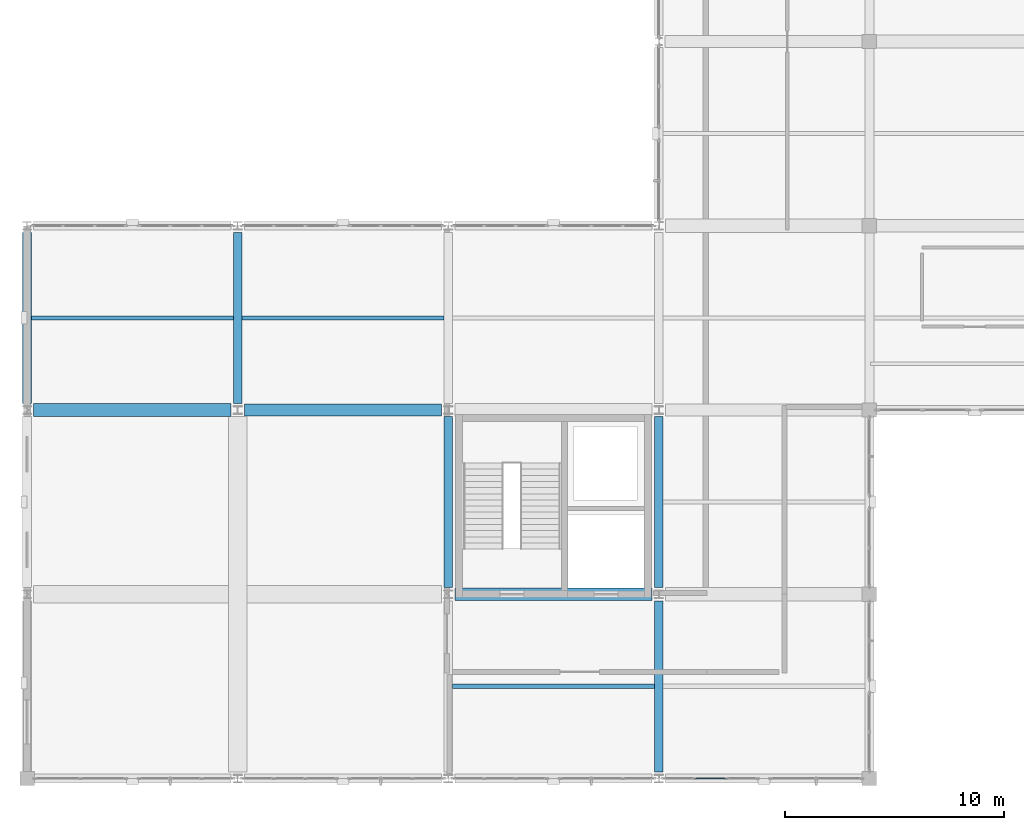
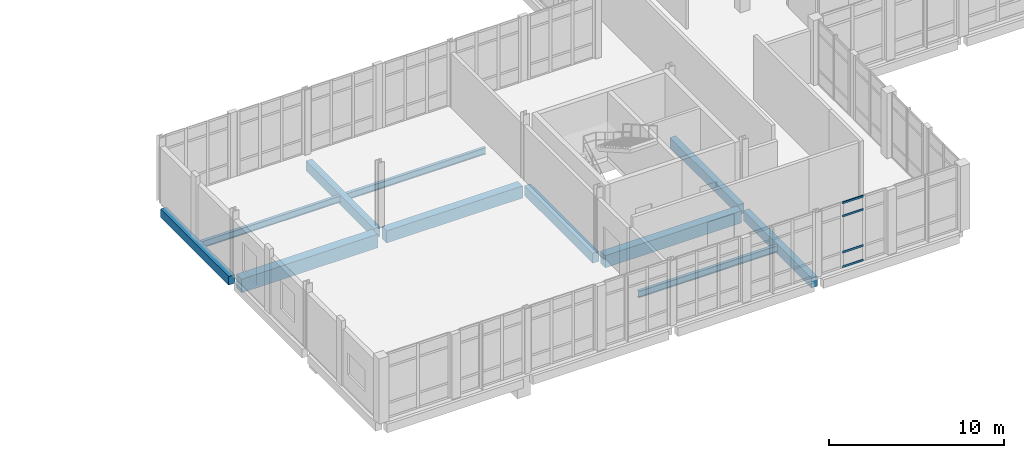
# One storey, part 17 of 102: 11 beams, 4 members, 1 element without a shape of its own.
"""IFC4 building model written with IfcOpenShell, lengths in metres."""

from ifc_helpers import new_model, si_unit, direction, frame, origin, origin_2d, place, context, subcontext, project, spatial, rectangle, hollow_rectangle, i_section, extrude, material, layer, layer_set, material_profile, profile_set, type_object, element, aggregate, save


model = new_model("IFC4")

# Units and contexts
model_context = context("Model", 3, precision=1e-05, world=origin(), true_north=direction((0.0, 1.0)))
body_context = subcontext(model_context, "Body", "Model", "MODEL_VIEW")
ifc_project = project(units=[si_unit("LENGTHUNIT", "METRE"), si_unit("AREAUNIT", "SQUARE_METRE"), si_unit("VOLUMEUNIT", "CUBIC_METRE"), si_unit("PLANEANGLEUNIT", "RADIAN"), si_unit("MASSUNIT", "GRAM", prefix="KILO")], contexts=[model_context])

# Site, building, storey
site_placement = place(None, origin())
site = spatial("IfcSite", under=ifc_project, at=site_placement, CompositionType="ELEMENT")
building_placement = place(site_placement, origin())
building = spatial("IfcBuilding", under=site, at=building_placement, Name="Lornevale Opera House", CompositionType="ELEMENT")
storey_placement = place(building_placement, frame((0.0, 0.0, 5.39990234375)))
storey = spatial("IfcBuildingStorey", under=building, at=storey_placement, Name="L02", CompositionType="ELEMENT", Elevation=5.39990234375)

# Beams
ifc_material_1 = material(Name="Concrete 35 MPa (CSA A23.1 N)", Category="concrete")
ifc_material_profile_1 = material_profile(ifc_material_1, rectangle(XDim=0.39990234375, YDim=0.699951171875, at=origin_2d()), Name="RC400x700")
ifc_profile_set_1 = profile_set([ifc_material_profile_1], Name="Concrete 35 MPa (CSA A23.1 N)")
beam_type_1 = type_object("IfcBeamType", Name="Concrete Floor Beam 400x700", PredefinedType="USERDEFINED", material=ifc_profile_set_1)
beam_1_placement = place(storey_placement, frame((9.60009765625, 17.10009765625, -0.64990234375), z_axis=(0.0, 1.0, 0.0), x_axis=(-1.0, 0.0, 0.0)))
element("IfcBeam", 1, at=beam_1_placement, inside=storey, type_object=beam_type_1, Name="Concrete Floor Beam 400x700 1834", ObjectType="GIRDER", PredefinedType="USERDEFINED", context=body_context, shape_type="SweptSolid", body=[
    extrude(rectangle(XDim=0.39990234375, YDim=0.699951171875, at=origin_2d()), origin(), (0.0, 0.0, 1.0), 7.7998046875),
])
for number, where, z_axis, x_axis, name in (
    (2, (19.199951171875, 8.699951171875, -0.64990234375), (0.0, 1.0, 0.0), (-1.0, 0.0, 0.0), "Concrete Floor Beam 400x700 1839"),
    (3, (28.800048828125, 0.300048828125, -0.64990234375), (0.0, 1.0, 0.0), (-1.0, 0.0, 0.0), "Concrete Floor Beam 400x700 1845"),
    (4, (28.800048828125, 8.699951171875, -0.64990234375), (0.0, 1.0, 0.0), (-1.0, 0.0, 0.0), "Concrete Floor Beam 400x700 1846"),
):
    element("IfcBeam", number, at=place(storey_placement, frame(where, z_axis=z_axis, x_axis=x_axis)), inside=storey, type_object=beam_type_1, Name=name, ObjectType="GIRDER", PredefinedType="USERDEFINED", context=body_context, shape_type="SweptSolid", body=[
        extrude(rectangle(XDim=0.39990234375, YDim=0.699951171875, at=origin_2d()), origin(), (0.0, 0.0, 1.0), 7.800048828125),
    ])
ifc_material_profile_2 = material_profile(ifc_material_1, rectangle(XDim=0.550048828125, YDim=0.85009765625, at=origin_2d()), Name="RC550x850")
ifc_profile_set_2 = profile_set([ifc_material_profile_2], Name="Concrete 35 MPa (CSA A23.1 N)")
beam_type_2 = type_object("IfcBeamType", Name="Concrete Primary Girder 550x850", PredefinedType="USERDEFINED", material=ifc_profile_set_2)
for number, where, z_axis, x_axis, name in (
    (5, (19.5, 8.39990234375, -0.724853515625), (1.0, 0.0, 0.0), (0.0, 1.0, 0.0), "Concrete Primary Girder 550x850 1676"),
    (6, (9.89990234375, 16.800048828125, -0.724853515625), (1.0, 0.0, 0.0), (0.0, 1.0, 0.0), "Concrete Primary Girder 550x850 1682"),
):
    element("IfcBeam", number, at=place(storey_placement, frame(where, z_axis=z_axis, x_axis=x_axis)), inside=storey, type_object=beam_type_2, Name=name, ObjectType="GIRDER", PredefinedType="USERDEFINED", context=body_context, shape_type="SweptSolid", body=[
        extrude(rectangle(XDim=0.550048828125, YDim=0.85009765625, at=origin_2d()), origin(), (0.0, 0.0, 1.0), 9.0),
    ])
ifc_material_profile_3 = material_profile(ifc_material_1, rectangle(XDim=0.60009765625, YDim=0.949951171875, at=origin_2d()), Name="RC600x950")
ifc_profile_set_3 = profile_set([ifc_material_profile_3], Name="Concrete 35 MPa (CSA A23.1 N)")
beam_type_3 = type_object("IfcBeamType", Name="Concrete Primary Girder 600x950", PredefinedType="USERDEFINED", material=ifc_profile_set_3)
beam_2_placement = place(storey_placement, frame((0.300048828125, 16.800048828125, -0.77490234375), z_axis=(1.0, 0.0, 0.0), x_axis=(0.0, 1.0, 0.0)))
element("IfcBeam", 7, at=beam_2_placement, inside=storey, type_object=beam_type_3, Name="Concrete Primary Girder 600x950 1681", ObjectType="GIRDER", PredefinedType="USERDEFINED", context=body_context, shape_type="SweptSolid", body=[
    extrude(rectangle(XDim=0.60009765625, YDim=0.949951171875, at=origin_2d()), origin(), (0.0, 0.0, 1.0), 9.0),
])
ifc_material_profile_4 = material_profile(ifc_material_1, rectangle(XDim=0.39990234375, YDim=0.60009765625, at=origin_2d()), Name="RC400x600")
ifc_profile_set_4 = profile_set([ifc_material_profile_4], Name="Concrete 35 MPa (CSA A23.1 N)")
beam_type_4 = type_object("IfcBeamType", Name="Concrete Spandrel Beam 400x600", PredefinedType="SPANDREL", material=ifc_profile_set_4)
beam_3_placement = place(storey_placement, frame((0.0, 17.10009765625, -0.599853515625), z_axis=(0.0, 1.0, 0.0), x_axis=(-1.0, 0.0, 0.0)))
element("IfcBeam", 8, at=beam_3_placement, inside=storey, type_object=beam_type_4, Name="Concrete Spandrel Beam 400x600 1828", PredefinedType="SPANDREL", context=body_context, shape_type="SweptSolid", body=[
    extrude(rectangle(XDim=0.39990234375, YDim=0.60009765625, at=origin_2d()), origin(), (0.0, 0.0, 1.0), 7.7998046875),
])

# Curtain wall, members
ifc_material_2 = material(Name="Anodized Oxide-Green Aluminium Framing", Category="aluminium")
ifc_layer = layer(ifc_material_2, 0.175048828125)
ifc_layer_set = layer_set([ifc_layer], Name="Anodized Oxide-Green Aluminium Framing")
curtain_wall_type = type_object("IfcCurtainWallType", Name="Chamber Cloister Curtain Wall M1700", PredefinedType="NOTDEFINED", material=ifc_layer_set)
curtain_wall_placement = place(storey_placement, origin())
curtain_wall = element("IfcCurtainWall", 9, at=curtain_wall_placement, inside=storey, type_object=curtain_wall_type, Name="Chamber Cloister Curtain Wall M1700 CW-046", PredefinedType="NOTDEFINED")
ifc_material_profile_5 = material_profile(ifc_material_2, hollow_rectangle(XDim=0.06494140625, YDim=0.135009765625, WallThickness=0.00390625, at=origin_2d()), Name="ALU65x135x4")
ifc_profile_set_5 = profile_set([ifc_material_profile_5], Name="Anodized Oxide-Green Aluminium Framing")
member_type = type_object("IfcMemberType", Name="Curtain Wall Transom 65x135", PredefinedType="USERDEFINED", material=ifc_profile_set_5)
member_1_placement = place(storey_placement, frame((31.84521484375, 0.0, 0.03271484375), z_axis=(-1.0, 0.0, 0.0), x_axis=(0.0, -1.0, 0.0)))
member_1 = element("IfcMember", 10, at=member_1_placement, type_object=member_type, Name="Curtain Wall Transom 65x135 CW0961", ObjectType="TRANSOM", PredefinedType="USERDEFINED", context=body_context, shape_type="SweptSolid", body=[
    extrude(hollow_rectangle(XDim=0.06494140625, YDim=0.135009765625, WallThickness=0.00390625, at=origin_2d()), origin(), (0.0, 0.0, 1.0), 1.37744140625),
])
member_2_placement = place(storey_placement, frame((31.84521484375, 0.0, 1.050048828125), z_axis=(-1.0, 0.0, 0.0), x_axis=(0.0, -1.0, 0.0)))
member_2 = element("IfcMember", 11, at=member_2_placement, type_object=member_type, Name="Curtain Wall Transom 65x135 CW0962", ObjectType="TRANSOM", PredefinedType="USERDEFINED", context=body_context, shape_type="SweptSolid", body=[
    extrude(hollow_rectangle(XDim=0.06494140625, YDim=0.135009765625, WallThickness=0.00390625, at=origin_2d()), origin(), (0.0, 0.0, 1.0), 1.37744140625),
])
member_3_placement = place(storey_placement, frame((31.84521484375, 0.0, 3.570068359375), z_axis=(-1.0, 0.0, 0.0), x_axis=(0.0, -1.0, 0.0)))
member_3 = element("IfcMember", 12, at=member_3_placement, type_object=member_type, Name="Curtain Wall Transom 65x135 CW0963", ObjectType="TRANSOM", PredefinedType="USERDEFINED", context=body_context, shape_type="SweptSolid", body=[
    extrude(hollow_rectangle(XDim=0.06494140625, YDim=0.135009765625, WallThickness=0.00390625, at=origin_2d()), origin(), (0.0, 0.0, 1.0), 1.37744140625),
])
member_4_placement = place(storey_placement, frame((31.84521484375, 0.0, 4.487548828125), z_axis=(-1.0, 0.0, 0.0), x_axis=(0.0, -1.0, 0.0)))
member_4 = element("IfcMember", 13, at=member_4_placement, type_object=member_type, Name="Curtain Wall Transom 65x135 CW0964", ObjectType="TRANSOM", PredefinedType="USERDEFINED", context=body_context, shape_type="SweptSolid", body=[
    extrude(hollow_rectangle(XDim=0.06494140625, YDim=0.135009765625, WallThickness=0.00390625, at=origin_2d()), origin(), (0.0, 0.0, 1.0), 1.37744140625),
])
aggregate(curtain_wall, [member_1, member_2, member_3, member_4])

# Beams
ifc_material_3 = material(Name="Structural Steel CSA G40.21 Grade 350W (350 MPa)", Category="steel")
ifc_material_profile_6 = material_profile(ifc_material_3, i_section(OverallWidth=0.19189453125, OverallDepth=0.462890625, WebThickness=0.010498046875, FlangeThickness=0.017578125, at=origin_2d()), Name="W460x89")
ifc_profile_set_6 = profile_set([ifc_material_profile_6], Name="Structural Steel CSA G40.21 Grade 350W (350 MPa)")
beam_type_5 = type_object("IfcBeamType", Name="Steel Floor Joist W460x89", PredefinedType="JOIST", material=ifc_profile_set_6)
for number, where, z_axis, x_axis, name in (
    (14, (0.199951171875, 21.0, -0.54638671875), (1.0, 0.0, 0.0), (0.0, 1.0, 0.0), "Steel Floor Joist W460x89 1979"),
    (15, (9.800048828125, 21.0, -0.54638671875), (1.0, 0.0, 0.0), (0.0, 1.0, 0.0), "Steel Floor Joist W460x89 1982"),
):
    element("IfcBeam", number, at=place(storey_placement, frame(where, z_axis=z_axis, x_axis=x_axis)), inside=storey, type_object=beam_type_5, Name=name, PredefinedType="JOIST", context=body_context, shape_type="SweptSolid", body=[
        extrude(i_section(OverallWidth=0.19189453125, OverallDepth=0.462890625, WebThickness=0.010498046875, FlangeThickness=0.017578125, at=origin_2d()), origin(), (0.0, 0.0, 1.0), 9.199951171875),
    ])
beam_4_placement = place(storey_placement, frame((19.39990234375, 4.199951171875, -0.54638671875), z_axis=(1.0, 0.0, 0.0), x_axis=(0.0, 1.0, 0.0)))
element("IfcBeam", 16, at=beam_4_placement, inside=storey, type_object=beam_type_5, Name="Steel Floor Joist W460x89 1985", PredefinedType="JOIST", context=body_context, shape_type="SweptSolid", body=[
    extrude(i_section(OverallWidth=0.19189453125, OverallDepth=0.462890625, WebThickness=0.010498046875, FlangeThickness=0.017578125, at=origin_2d()), origin(), (0.0, 0.0, 1.0), 9.2001953125),
])

save(model, "model.ifc")
